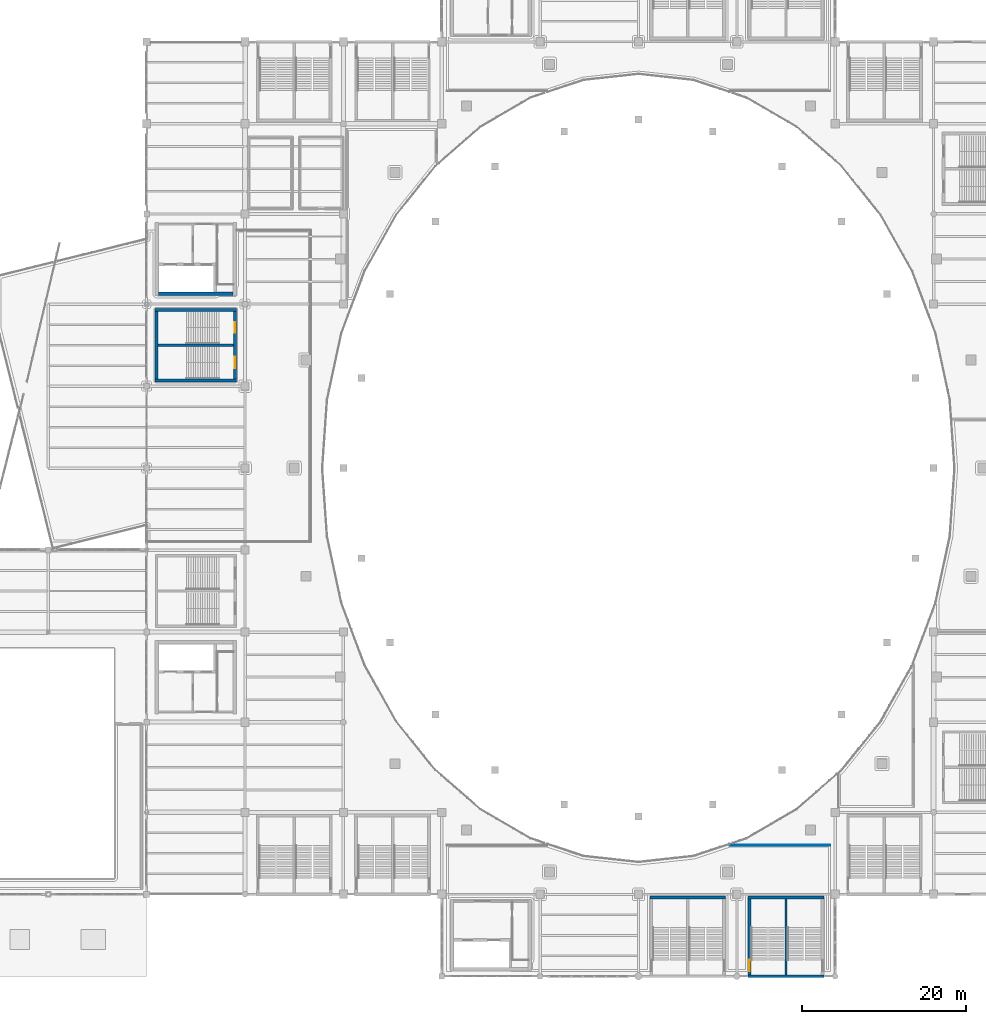
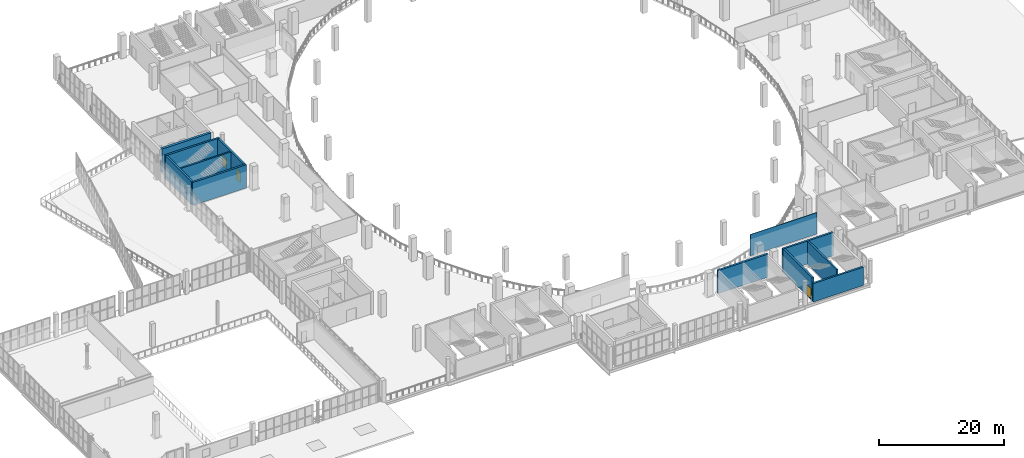
# One storey, part 81 of 108: 12 walls, 3 doors, 3 openings.
"""IFC4 building model written with IfcOpenShell, lengths in metres."""

from ifc_helpers import new_model, si_unit, direction, frame, frame_2d, origin, place, context, subcontext, project, spatial, rectangle, extrude, material, layer, layer_set, type_object, element, fill, save


model = new_model("IFC4")

# Units and contexts
model_context = context("Model", 3, precision=1e-05, world=origin(), true_north=direction((0.0, 1.0)))
body_context = subcontext(model_context, "Body", "Model", "MODEL_VIEW")
ifc_project = project(units=[si_unit("LENGTHUNIT", "METRE"), si_unit("AREAUNIT", "SQUARE_METRE"), si_unit("VOLUMEUNIT", "CUBIC_METRE"), si_unit("PLANEANGLEUNIT", "RADIAN"), si_unit("MASSUNIT", "GRAM", prefix="KILO")], contexts=[model_context])

# Site, building, storey
site_placement = place(None, origin())
site = spatial("IfcSite", under=ifc_project, at=site_placement, CompositionType="ELEMENT")
building_placement = place(site_placement, origin())
building = spatial("IfcBuilding", under=site, at=building_placement, Name="Brinegate Civic Arena", CompositionType="ELEMENT")
storey_placement = place(building_placement, frame((0.0, 0.0, 10.199951171875)))
storey = spatial("IfcBuildingStorey", under=building, at=storey_placement, Name="L02", CompositionType="ELEMENT", Elevation=10.199951171875)

# Wall
ifc_material_1 = material(Name="Concrete C50/60", Category="concrete")
ifc_layer_1 = layer(ifc_material_1, 0.35009765625, Name="Concrete C50/60")
ifc_layer_set_1 = layer_set([ifc_layer_1], Name="Concrete C50/60")
wall_type_1 = type_object("IfcWallType", Name="WALL-CORE-SHEAR-350", PredefinedType="SHEAR", material=ifc_layer_set_1)
wall_1_placement = place(storey_placement, frame((121.375, 9.60009765625, 0.0), z_axis=(0.0, 0.0, 1.0), x_axis=(1.0, 0.0, 0.0)))
element("IfcWall", 1, at=wall_1_placement, inside=storey, type_object=wall_type_1, Name="Stair ST-04 North Shear Wall L02 (WBC-04)", PredefinedType="SHEAR", context=body_context, shape_type="SweptSolid", body=[
    extrude(rectangle(XDim=9.25, YDim=0.35009765625, at=frame_2d((4.625, 0.0))), origin(), (0.0, 0.0, 1.0), 4.5),
])

# Wall, opening, door
wall_2_placement = place(storey_placement, frame((121.550048828125, 0.175048828125, 0.0), z_axis=(0.0, 0.0, 1.0), x_axis=(0.0, 1.0, 0.0)))
wall_2 = element("IfcWall", 2, at=wall_2_placement, inside=storey, type_object=wall_type_1, Name="Stair ST-04 West Shear Wall L02 (WBC-05)", PredefinedType="SHEAR", context=body_context, shape_type="SweptSolid", body=[
    extrude(rectangle(XDim=9.25, YDim=0.35009765625, at=frame_2d((4.625, 0.0))), origin(), (0.0, 0.0, 1.0), 4.5),
])
opening_1_placement = place(wall_2_placement, frame((0.425048828125, 0.0, 0.0)))
opening_1 = element("IfcOpeningElement", 3, at=opening_1_placement, cuts=wall_2, Name="Opening D-ST04A-L02", PredefinedType="OPENING", context=body_context, shape_type="SweptSolid", body=[
    extrude(rectangle(XDim=1.39990234375, YDim=2.199951171875, at=frame_2d((0.699951171875, 1.10009765625))), frame((0.0, 0.18505859375, 0.0), z_axis=(0.0, -1.0, 0.0), x_axis=(1.0, 0.0, 0.0)), (0.0, 0.0, 1.0), 0.3701171875),
])
ifc_material_2 = material(Name="Galvanized hurricane steel", Category="steel")
door_type_1 = type_object("IfcDoorType", Name="DOOR-STAIR-2400X2200", OperationType="NOTDEFINED", PredefinedType="DOOR", material=ifc_material_2)
door_1_placement = place(opening_1_placement, frame((1.39990234375, 0.0, 0.0), z_axis=(0.0, 0.0, 1.0), x_axis=(-1.0, 0.0, 0.0)))
door_1 = element("IfcDoor", 4, at=door_1_placement, inside=storey, type_object=door_type_1, Name="Protected Exit Stair Door D-ST04A-L02", OperationType="DOUBLE_DOOR_SINGLE_SWING", OverallHeight=2.199951171875, OverallWidth=1.39990234375, PredefinedType="DOOR", context=body_context, shape_type="SweptSolid", body=[
    extrude(rectangle(XDim=1.39990234375, YDim=2.199951171875, at=frame_2d((0.699951171875, 1.10009765625))), frame((0.0, 0.02490234375, 0.0), z_axis=(0.0, -1.0, 0.0), x_axis=(1.0, 0.0, 0.0)), (0.0, 0.0, 1.0), 0.050048828125),
])
fill(opening_1, door_1)

# Walls
for number, where, z_axis, x_axis, name in (
    (5, (49.02490234375, 72.699951171875, 0.0), (0.0, 0.0, 1.0), (1.0, 0.0, 0.0), "Stair ST-07 South Shear Wall L02 (WBC-78)"),
    (6, (49.02490234375, 81.300048828125, 0.0), (0.0, 0.0, 1.0), (1.0, 0.0, 0.0), "Stair ST-07 North Shear Wall L02 (WBC-79)"),
):
    element("IfcWall", number, at=place(storey_placement, frame(where, z_axis=z_axis, x_axis=x_axis)), inside=storey, type_object=wall_type_1, Name=name, PredefinedType="SHEAR", context=body_context, shape_type="SweptSolid", body=[
        extrude(rectangle(XDim=9.9501953125, YDim=0.35009765625, at=frame_2d((4.97509765625, 0.0))), origin(), (0.0, 0.0, 1.0), 4.5),
    ])
wall_3_placement = place(storey_placement, frame((49.199951171875, 72.875, 0.0), z_axis=(0.0, 0.0, 1.0), x_axis=(0.0, 1.0, 0.0)))
element("IfcWall", 7, at=wall_3_placement, inside=storey, type_object=wall_type_1, Name="Stair ST-07 West Shear Wall L02 (WBC-80)", PredefinedType="SHEAR", context=body_context, shape_type="SweptSolid", body=[
    extrude(rectangle(XDim=8.25, YDim=0.35009765625, at=frame_2d((4.125, 0.0))), origin(), (0.0, 0.0, 1.0), 4.5),
])

# Wall, openings, doors
wall_4_placement = place(storey_placement, frame((58.800048828125, 72.875, 0.0), z_axis=(0.0, 0.0, 1.0), x_axis=(0.0, 1.0, 0.0)))
wall_4 = element("IfcWall", 8, at=wall_4_placement, inside=storey, type_object=wall_type_1, Name="Stair ST-07 East Shear Wall L02 (WBC-81)", PredefinedType="SHEAR", context=body_context, shape_type="SweptSolid", body=[
    extrude(rectangle(XDim=8.25, YDim=0.35009765625, at=frame_2d((4.125, 0.0))), origin(), (0.0, 0.0, 1.0), 4.5),
])
opening_2_placement = place(wall_4_placement, frame((1.27490234375, 0.0, 0.0)))
opening_2 = element("IfcOpeningElement", 9, at=opening_2_placement, cuts=wall_4, Name="Opening D-ST07A-L02", PredefinedType="OPENING", context=body_context, shape_type="SweptSolid", body=[
    extrude(rectangle(XDim=1.39990234375, YDim=2.199951171875, at=frame_2d((0.699951171875, 1.10009765625))), frame((0.0, 0.18505859375, 0.0), z_axis=(0.0, -1.0, 0.0), x_axis=(1.0, 0.0, 0.0)), (0.0, 0.0, 1.0), 0.3701171875),
])
opening_3_placement = place(wall_4_placement, frame((5.614990234375, 0.0, 0.0)))
opening_3 = element("IfcOpeningElement", 10, at=opening_3_placement, cuts=wall_4, Name="Opening D-ST07B-L02", PredefinedType="OPENING", context=body_context, shape_type="SweptSolid", body=[
    extrude(rectangle(XDim=1.320068359375, YDim=2.199951171875, at=frame_2d((0.66015625, 1.10009765625))), frame((0.0, 0.18505859375, 0.0), z_axis=(0.0, -1.0, 0.0), x_axis=(1.0, 0.0, 0.0)), (0.0, 0.0, 1.0), 0.3701171875),
])
door_type_2 = type_object("IfcDoorType", Name="DOOR-STAIR-2200X2200", OperationType="NOTDEFINED", PredefinedType="DOOR", material=ifc_material_2)
door_2_placement = place(opening_3_placement, origin())
door_2 = element("IfcDoor", 11, at=door_2_placement, inside=storey, type_object=door_type_2, Name="Protected Exit Stair Door D-ST07B-L02", OperationType="DOUBLE_DOOR_SINGLE_SWING", OverallHeight=2.199951171875, OverallWidth=1.320068359375, PredefinedType="DOOR", context=body_context, shape_type="SweptSolid", body=[
    extrude(rectangle(XDim=1.320068359375, YDim=2.199951171875, at=frame_2d((0.66015625, 1.10009765625))), frame((0.0, 0.02490234375, 0.0), z_axis=(0.0, -1.0, 0.0), x_axis=(1.0, 0.0, 0.0)), (0.0, 0.0, 1.0), 0.050048828125),
])
fill(opening_3, door_2)
door_3_placement = place(opening_2_placement, origin())
door_3 = element("IfcDoor", 12, at=door_3_placement, inside=storey, type_object=door_type_1, Name="Protected Exit Stair Door D-ST07A-L02", OperationType="DOUBLE_DOOR_SINGLE_SWING", OverallHeight=2.199951171875, OverallWidth=1.39990234375, PredefinedType="DOOR", context=body_context, shape_type="SweptSolid", body=[
    extrude(rectangle(XDim=1.39990234375, YDim=2.199951171875, at=frame_2d((0.699951171875, 1.10009765625))), frame((0.0, 0.02490234375, 0.0), z_axis=(0.0, -1.0, 0.0), x_axis=(1.0, 0.0, 0.0)), (0.0, 0.0, 1.0), 0.050048828125),
])
fill(opening_2, door_3)

# Walls
wall_5_placement = place(storey_placement, frame((109.375, 9.60009765625, 0.0), z_axis=(0.0, 0.0, 1.0), x_axis=(1.0, 0.0, 0.0)))
element("IfcWall", 13, at=wall_5_placement, inside=storey, type_object=wall_type_1, Name="Stair ST-16 North Shear Wall L02 (WBF-22)", PredefinedType="SHEAR", context=body_context, shape_type="SweptSolid", body=[
    extrude(rectangle(XDim=9.25, YDim=0.35009765625, at=frame_2d((4.625, 0.0))), origin(), (0.0, 0.0, 1.0), 4.5),
])
ifc_layer_2 = layer(ifc_material_1, 0.449951171875, Name="Concrete C50/60")
ifc_layer_set_2 = layer_set([ifc_layer_2], Name="Concrete C50/60")
wall_type_2 = type_object("IfcWallType", Name="WALL-CORE-SHEAR-450", PredefinedType="SHEAR", material=ifc_layer_set_2)
wall_6_placement = place(storey_placement, frame((49.47509765625, 83.25, 0.0), z_axis=(0.0, 0.0, 1.0), x_axis=(1.0, 0.0, 0.0)))
element("IfcWall", 14, at=wall_6_placement, inside=storey, type_object=wall_type_2, Name="Core K1 South Shear Wall L02 (WBF-56)", PredefinedType="SHEAR", context=body_context, shape_type="SweptSolid", body=[
    extrude(rectangle(XDim=9.0498046875, YDim=0.449951171875, at=frame_2d((4.52490234375, 0.0))), origin(), (0.0, 0.0, 1.0), 4.5),
])
ifc_layer_3 = layer(ifc_material_1, 0.35009765625, Name="Concrete C50/60")
ifc_layer_set_3 = layer_set([ifc_layer_3], Name="Concrete C50/60")
wall_type_3 = type_object("IfcWallType", Name="WALL-EXT-STAIR-SHEAR-350", PredefinedType="SHEAR", material=ifc_layer_set_3)
wall_7_placement = place(storey_placement, frame((121.375, 0.0, 0.0), z_axis=(0.0, 0.0, 1.0), x_axis=(1.0, 0.0, 0.0)))
element("IfcWall", 15, at=wall_7_placement, inside=storey, type_object=wall_type_3, Name="Stair ST-04 South Shear Wall L02 (WBC-03)", PredefinedType="SHEAR", context=body_context, shape_type="SweptSolid", body=[
    extrude(rectangle(XDim=9.25, YDim=0.35009765625, at=frame_2d((4.625, 0.0))), origin(), (0.0, 0.0, 1.0), 3.5859375),
])
ifc_material_3 = material(Name="Concrete blockwork masonry", Category="masonry")
ifc_layer_4 = layer(ifc_material_3, 0.10009765625, Name="Concrete blockwork masonry")
ifc_layer_set_4 = layer_set([ifc_layer_4], Name="Concrete blockwork masonry")
wall_type_4 = type_object("IfcWallType", Name="WALL-PART-WET-100", PredefinedType="PARTITIONING", material=ifc_layer_set_4)
wall_8_placement = place(storey_placement, frame((119.1201171875, 16.0, 0.0), z_axis=(0.0, 0.0, 1.0), x_axis=(1.0, 0.0, 0.0)))
element("IfcWall", 16, at=wall_8_placement, inside=storey, type_object=wall_type_4, Name="Harbour Sunset Dining Room Partition Wall E124 (WBJ-21)", PredefinedType="PARTITIONING", context=body_context, shape_type="SweptSolid", body=[
    extrude(rectangle(XDim=12.27978515625, YDim=0.10009765625, at=frame_2d((6.139892578125, 0.0))), origin(), (0.0, 0.0, 1.0), 4.150146484375),
])
ifc_layer_5 = layer(ifc_material_1, 0.2900390625, Name="Concrete C50/60")
ifc_layer_set_5 = layer_set([ifc_layer_5], Name="Concrete C50/60")
wall_type_5 = type_object("IfcWallType", Name="WALL-STAIR-SHEAR-290", PredefinedType="SHEAR", material=ifc_layer_set_5)
for number, where, z_axis, x_axis, name in (
    (17, (126.0, 0.175048828125, 0.0), (0.0, 0.0, 1.0), (0.0, 1.0, 0.0), "Stair ST-04 Central Dividing Shear Wall L02 (WBC-07)"),
    (18, (49.375, 77.0, 0.0), (0.0, 0.0, 1.0), (1.0, 0.0, 0.0), "Stair ST-07 Central Dividing Shear Wall L02 (WBC-82)"),
):
    element("IfcWall", number, at=place(storey_placement, frame(where, z_axis=z_axis, x_axis=x_axis)), inside=storey, type_object=wall_type_5, Name=name, PredefinedType="SHEAR", context=body_context, shape_type="SweptSolid", body=[
        extrude(rectangle(XDim=9.25, YDim=0.2900390625, at=frame_2d((4.625, 0.0))), origin(), (0.0, 0.0, 1.0), 4.5),
    ])

save(model, "model.ifc")
